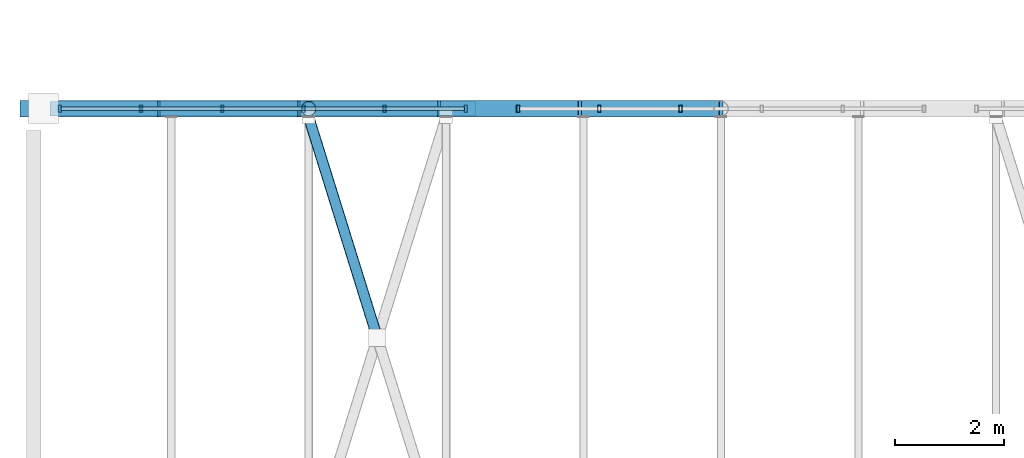
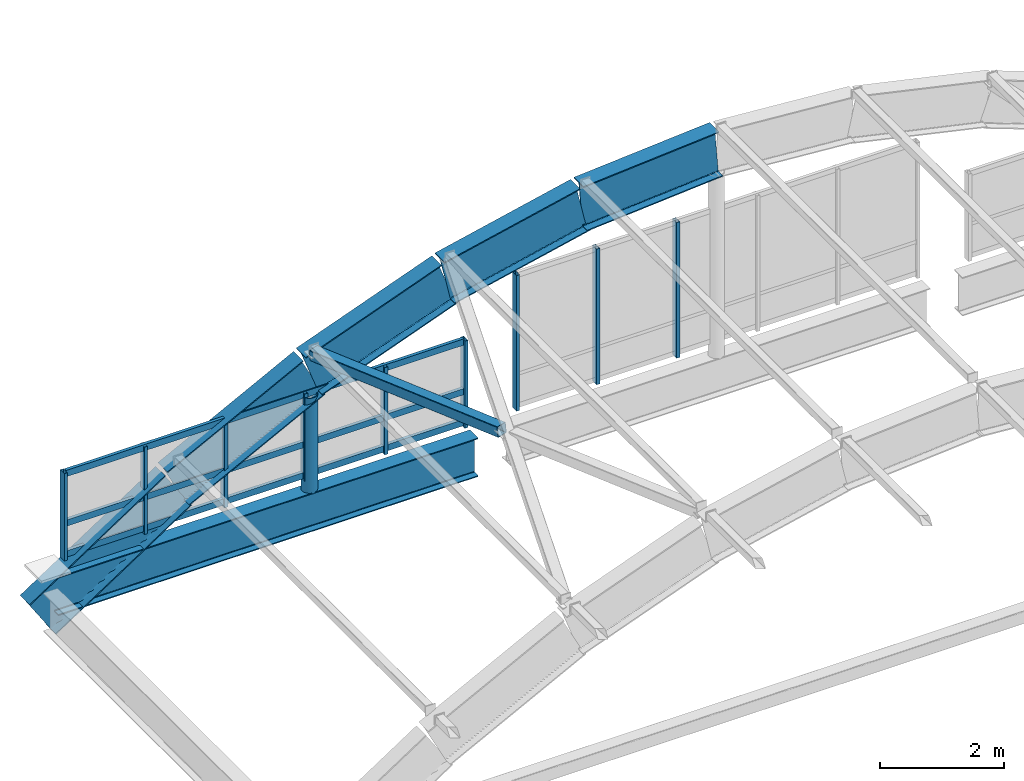
# One storey, part 15 of 130: 14 members, 6 beams, 2 elements without a shape of their own.
"""IFC4 building model written with IfcOpenShell, lengths in metres."""

from ifc_helpers import new_model, si_unit, direction, frame, origin, origin_2d, place, context, subcontext, project, spatial, hollow_rectangle, hollow_circle, i_section, extrude, material, layer, layer_set, material_profile, profile_set, type_object, element, aggregate, save


model = new_model("IFC4")

# Units and contexts
model_context = context("Model", 3, precision=1e-05, world=origin(), true_north=direction((0.0, 1.0)))
body_context = subcontext(model_context, "Body", "Model", "MODEL_VIEW")
ifc_project = project(units=[si_unit("LENGTHUNIT", "METRE"), si_unit("AREAUNIT", "SQUARE_METRE"), si_unit("VOLUMEUNIT", "CUBIC_METRE"), si_unit("PLANEANGLEUNIT", "RADIAN"), si_unit("MASSUNIT", "GRAM", prefix="KILO")], contexts=[model_context])

# Site, building, storey
site_placement = place(None, origin())
site = spatial("IfcSite", under=ifc_project, at=site_placement, CompositionType="ELEMENT")
building_placement = place(site_placement, origin())
building = spatial("IfcBuilding", under=site, at=building_placement, Name="Vireocrest Preparatory School", CompositionType="ELEMENT")
storey_placement = place(building_placement, frame((0.0, 0.0, 9.0)))
storey = spatial("IfcBuildingStorey", under=building, at=storey_placement, Name="L02", CompositionType="ELEMENT", Elevation=9.0)

# Curtain wall, members
ifc_material_1 = material(Name="Thermally broken aluminium EN AW-6063-T6", Category="aluminium")
ifc_layer_1 = layer(ifc_material_1, 0.179931640625)
ifc_layer_set_1 = layer_set([ifc_layer_1], Name="Thermally broken aluminium EN AW-6063-T6")
curtain_wall_type_1 = type_object("IfcCurtainWallType", Name="Vault Gable Clerestory 8400x2600", PredefinedType="USERDEFINED", material=ifc_layer_set_1)
curtain_wall_1_placement = place(storey_placement, origin())
curtain_wall_1 = element("IfcCurtainWall", 1, at=curtain_wall_1_placement, inside=storey, type_object=curtain_wall_type_1, Name="Curtain Wall CW13 CW_L02_CW13_0004_0522_090", ObjectType="CURTAIN WALL", PredefinedType="USERDEFINED")
ifc_material_profile_1 = material_profile(ifc_material_1, hollow_rectangle(XDim=0.06005859375, YDim=0.135009765625, WallThickness=0.00390625, at=origin_2d()), Name="ALU 60x135x4")
ifc_profile_set_1 = profile_set([ifc_material_profile_1], Name="Thermally broken aluminium EN AW-6063-T6")
member_type_1 = type_object("IfcMemberType", Name="CW Clerestory Mullion 60x135x4", PredefinedType="MULLION", material=ifc_profile_set_1)
member_1_placement = place(storey_placement, frame((0.47998046875, 52.199951171875, 0.0), z_axis=(0.0, 0.0, 1.0), x_axis=(1.0, 0.0, 0.0)))
member_1 = element("IfcMember", 2, at=member_1_placement, type_object=member_type_1, Name="CW Mullion ML6 CW_L02_CW13_0004_0522_090-1", PredefinedType="MULLION", context=body_context, shape_type="SweptSolid", body=[
    extrude(hollow_rectangle(XDim=0.06005859375, YDim=0.135009765625, WallThickness=0.00390625, at=origin_2d()), origin(), (0.0, 0.0, 1.0), 1.715087890625),
])
member_2_placement = place(storey_placement, frame((1.968017578125, 52.199951171875, 0.0), z_axis=(0.0, 0.0, 1.0), x_axis=(1.0, 0.0, 0.0)))
member_2 = element("IfcMember", 3, at=member_2_placement, type_object=member_type_1, Name="CW Mullion ML6 CW_L02_CW13_0004_0522_090-2", PredefinedType="MULLION", context=body_context, shape_type="SweptSolid", body=[
    extrude(hollow_rectangle(XDim=0.06005859375, YDim=0.135009765625, WallThickness=0.00390625, at=origin_2d()), origin(), (0.0, 0.0, 1.0), 1.715087890625),
])
member_3_placement = place(storey_placement, frame((3.4560546875, 52.199951171875, 0.0), z_axis=(0.0, 0.0, 1.0), x_axis=(1.0, 0.0, 0.0)))
member_3 = element("IfcMember", 4, at=member_3_placement, type_object=member_type_1, Name="CW Mullion ML6 CW_L02_CW13_0004_0522_090-3", PredefinedType="MULLION", context=body_context, shape_type="SweptSolid", body=[
    extrude(hollow_rectangle(XDim=0.06005859375, YDim=0.135009765625, WallThickness=0.00390625, at=origin_2d()), origin(), (0.0, 0.0, 1.0), 1.715087890625),
])
member_4_placement = place(storey_placement, frame((4.944091796875, 52.199951171875, 0.0), z_axis=(0.0, 0.0, 1.0), x_axis=(1.0, 0.0, 0.0)))
member_4 = element("IfcMember", 5, at=member_4_placement, type_object=member_type_1, Name="CW Mullion ML6 CW_L02_CW13_0004_0522_090-4", PredefinedType="MULLION", context=body_context, shape_type="SweptSolid", body=[
    extrude(hollow_rectangle(XDim=0.06005859375, YDim=0.135009765625, WallThickness=0.00390625, at=origin_2d()), origin(), (0.0, 0.0, 1.0), 1.715087890625),
])
member_5_placement = place(storey_placement, frame((6.431884765625, 52.199951171875, 0.0), z_axis=(0.0, 0.0, 1.0), x_axis=(1.0, 0.0, 0.0)))
member_5 = element("IfcMember", 6, at=member_5_placement, type_object=member_type_1, Name="CW Mullion ML6 CW_L02_CW13_0004_0522_090-5", PredefinedType="MULLION", context=body_context, shape_type="SweptSolid", body=[
    extrude(hollow_rectangle(XDim=0.06005859375, YDim=0.135009765625, WallThickness=0.00390625, at=origin_2d()), origin(), (0.0, 0.0, 1.0), 1.715087890625),
])
member_6_placement = place(storey_placement, frame((7.919921875, 52.199951171875, 0.0), z_axis=(0.0, 0.0, 1.0), x_axis=(1.0, 0.0, 0.0)))
member_6 = element("IfcMember", 7, at=member_6_placement, type_object=member_type_1, Name="CW Mullion ML6 CW_L02_CW13_0004_0522_090-6", PredefinedType="MULLION", context=body_context, shape_type="SweptSolid", body=[
    extrude(hollow_rectangle(XDim=0.06005859375, YDim=0.135009765625, WallThickness=0.00390625, at=origin_2d()), origin(), (0.0, 0.0, 1.0), 1.715087890625),
])

ifc_layer_2 = layer(ifc_material_1, 0.179931640625)
ifc_layer_set_2 = layer_set([ifc_layer_2], Name="Thermally broken aluminium EN AW-6063-T6")
curtain_wall_type_2 = type_object("IfcCurtainWallType", Name="Vault Centre Gable Clerestory 8400x3800", PredefinedType="USERDEFINED", material=ifc_layer_set_2)
curtain_wall_2_placement = place(storey_placement, origin())
curtain_wall_2 = element("IfcCurtainWall", 8, at=curtain_wall_2_placement, inside=storey, type_object=curtain_wall_type_2, Name="Curtain Wall CW14 CW_L02_CW14_0088_0522_090", ObjectType="CURTAIN WALL", PredefinedType="USERDEFINED")
member_7_placement = place(storey_placement, frame((8.8798828125, 52.199951171875, 0.0), z_axis=(0.0, 0.0, 1.0), x_axis=(1.0, 0.0, 0.0)))
member_7 = element("IfcMember", 9, at=member_7_placement, type_object=member_type_1, Name="CW Mullion ML6 CW_L02_CW14_0088_0522_090-1", PredefinedType="MULLION", context=body_context, shape_type="SweptSolid", body=[
    extrude(hollow_rectangle(XDim=0.06005859375, YDim=0.135009765625, WallThickness=0.00390625, at=origin_2d()), origin(), (0.0, 0.0, 1.0), 2.6650390625),
])
member_8_placement = place(storey_placement, frame((10.367919921875, 52.199951171875, 0.0), z_axis=(0.0, 0.0, 1.0), x_axis=(1.0, 0.0, 0.0)))
member_8 = element("IfcMember", 10, at=member_8_placement, type_object=member_type_1, Name="CW Mullion ML6 CW_L02_CW14_0088_0522_090-2", PredefinedType="MULLION", context=body_context, shape_type="SweptSolid", body=[
    extrude(hollow_rectangle(XDim=0.06005859375, YDim=0.135009765625, WallThickness=0.00390625, at=origin_2d()), origin(), (0.0, 0.0, 1.0), 2.6650390625),
])
member_9_placement = place(storey_placement, frame((11.85595703125, 52.199951171875, 0.0), z_axis=(0.0, 0.0, 1.0), x_axis=(1.0, 0.0, 0.0)))
member_9 = element("IfcMember", 11, at=member_9_placement, type_object=member_type_1, Name="CW Mullion ML6 CW_L02_CW14_0088_0522_090-3", PredefinedType="MULLION", context=body_context, shape_type="SweptSolid", body=[
    extrude(hollow_rectangle(XDim=0.06005859375, YDim=0.135009765625, WallThickness=0.00390625, at=origin_2d()), origin(), (0.0, 0.0, 1.0), 2.6650390625),
])
aggregate(curtain_wall_2, [member_7, member_8, member_9])

# Member
ifc_material_profile_2 = material_profile(ifc_material_1, hollow_rectangle(XDim=0.06005859375, YDim=0.125, WallThickness=0.00390625, at=origin_2d()), Name="ALU 60x125x4")
ifc_profile_set_2 = profile_set([ifc_material_profile_2], Name="Thermally broken aluminium EN AW-6063-T6")
member_type_2 = type_object("IfcMemberType", Name="CW Clerestory Transom 60x125x4", PredefinedType="USERDEFINED", material=ifc_profile_set_2)
member_10_placement = place(storey_placement, frame((0.5048828125, 52.199951171875, 0.094970703125), z_axis=(1.0, 0.0, 0.0), x_axis=(0.0, 1.0, 0.0)))
member_10 = element("IfcMember", 12, at=member_10_placement, type_object=member_type_2, Name="CW Transom TR6 CW_L02_CW13_0004_0522_090-1", ObjectType="TRANSOM", PredefinedType="USERDEFINED", context=body_context, shape_type="SweptSolid", body=[
    extrude(hollow_rectangle(XDim=0.06005859375, YDim=0.125, WallThickness=0.00390625, at=origin_2d()), origin(), (0.0, 0.0, 1.0), 7.39013671875),
])

member_11_placement = place(storey_placement, frame((0.5048828125, 52.199951171875, 0.699951171875), z_axis=(1.0, 0.0, 0.0), x_axis=(0.0, 1.0, 0.0)))
member_11 = element("IfcMember", 13, at=member_11_placement, type_object=member_type_2, Name="CW Transom TR6 CW_L02_CW13_0004_0522_090-2", ObjectType="TRANSOM", PredefinedType="USERDEFINED", context=body_context, shape_type="SweptSolid", body=[
    extrude(hollow_rectangle(XDim=0.06005859375, YDim=0.125, WallThickness=0.00390625, at=origin_2d()), origin(), (0.0, 0.0, 1.0), 7.39013671875),
])

member_12_placement = place(storey_placement, frame((0.5048828125, 52.199951171875, 1.675048828125), z_axis=(1.0, 0.0, 0.0), x_axis=(0.0, 1.0, 0.0)))
member_12 = element("IfcMember", 14, at=member_12_placement, type_object=member_type_2, Name="CW Transom TR6 CW_L02_CW13_0004_0522_090-3", ObjectType="TRANSOM", PredefinedType="USERDEFINED", context=body_context, shape_type="SweptSolid", body=[
    extrude(hollow_rectangle(XDim=0.06005859375, YDim=0.125, WallThickness=0.00390625, at=origin_2d()), origin(), (0.0, 0.0, 1.0), 7.39013671875),
])

aggregate(curtain_wall_1, [member_1, member_2, member_3, member_4, member_5, member_6, member_10, member_11, member_12])

# Beams
ifc_material_2 = material(Name="Structural steel ASTM A992 Grade 50", Category="steel")
ifc_material_profile_3 = material_profile(ifc_material_2, i_section(OverallWidth=0.304931640625, OverallDepth=0.904052734375, WebThickness=0.01513671875, FlangeThickness=0.02001953125, FilletRadius=0.02392578125, at=origin_2d()), Name="W36X135")
ifc_profile_set_3 = profile_set([ifc_material_profile_3], Name="Structural steel ASTM A992 Grade 50")
beam_type_1 = type_object("IfcBeamType", Name="Sports Hall Barrel Vault Arch Rib W36X135", PredefinedType="BEAM", material=ifc_profile_set_3)
beam_1_placement = place(storey_placement, frame((0.0, 52.199951171875, -0.939208984375), z_axis=(0.835706541366, 0.0, 0.54917627108), x_axis=(0.0, 1.0, 0.0)))
element("IfcBeam", 15, at=beam_1_placement, inside=storey, type_object=beam_type_1, Name="Sports Hall Barrel Vault Roof Arch Rib 6 Seg 1", PredefinedType="BEAM", context=body_context, shape_type="SweptSolid", body=[
    extrude(i_section(OverallWidth=0.304931640625, OverallDepth=0.904052734375, WebThickness=0.01513671875, FlangeThickness=0.02001953125, FilletRadius=0.02392578125, at=origin_2d()), origin(), (0.0, 0.0, 1.0), 3.015380859375),
])
beam_2_placement = place(storey_placement, frame((2.52001953125, 52.199951171875, 0.75), z_axis=(0.888848104135, 0.0, 0.458201972689), x_axis=(0.0, 1.0, 0.0)))
element("IfcBeam", 16, at=beam_2_placement, inside=storey, type_object=beam_type_1, Name="Sports Hall Barrel Vault Roof Arch Rib 6 Seg 2", PredefinedType="BEAM", context=body_context, shape_type="SweptSolid", body=[
    extrude(i_section(OverallWidth=0.304931640625, OverallDepth=0.904052734375, WebThickness=0.01513671875, FlangeThickness=0.02001953125, FilletRadius=0.02392578125, at=origin_2d()), origin(), (0.0, 0.0, 1.0), 2.835205078125),
])
beam_3_placement = place(storey_placement, frame((5.0400390625, 52.199951171875, 2.075439453125), z_axis=(0.938013768211, 0.0, 0.346597995733), x_axis=(0.0, 1.0, 0.0)))
element("IfcBeam", 17, at=beam_3_placement, inside=storey, type_object=beam_type_1, Name="Sports Hall Barrel Vault Roof Arch Rib 6 Seg 3", PredefinedType="BEAM", context=body_context, shape_type="SweptSolid", body=[
    extrude(i_section(OverallWidth=0.304931640625, OverallDepth=0.904052734375, WebThickness=0.01513671875, FlangeThickness=0.02001953125, FilletRadius=0.02392578125, at=origin_2d()), origin(), (0.0, 0.0, 1.0), 2.6865234375),
])
beam_4_placement = place(storey_placement, frame((7.56005859375, 52.199951171875, 3.025146484375), z_axis=(0.975941722244, 0.0, 0.218031545388), x_axis=(0.0, 1.0, 0.0)))
element("IfcBeam", 18, at=beam_4_placement, inside=storey, type_object=beam_type_1, Name="Sports Hall Barrel Vault Roof Arch Rib 6 Seg 4", PredefinedType="BEAM", context=body_context, shape_type="SweptSolid", body=[
    extrude(i_section(OverallWidth=0.304931640625, OverallDepth=0.904052734375, WebThickness=0.01513671875, FlangeThickness=0.02001953125, FilletRadius=0.02392578125, at=origin_2d()), origin(), (0.0, 0.0, 1.0), 2.58203125),
])
beam_5_placement = place(storey_placement, frame((10.080078125, 52.199951171875, 3.59765625), z_axis=(0.997017437862, 0.0, 0.077176606554), x_axis=(0.0, 1.0, 0.0)))
element("IfcBeam", 19, at=beam_5_placement, inside=storey, type_object=beam_type_1, Name="Sports Hall Barrel Vault Roof Arch Rib 6 Seg 5", PredefinedType="BEAM", context=body_context, shape_type="SweptSolid", body=[
    extrude(i_section(OverallWidth=0.304931640625, OverallDepth=0.904052734375, WebThickness=0.01513671875, FlangeThickness=0.02001953125, FilletRadius=0.02392578125, at=origin_2d()), origin(), (0.0, 0.0, 1.0), 2.527587890625),
])
ifc_material_profile_4 = material_profile(ifc_material_2, i_section(OverallWidth=0.26708984375, OverallDepth=0.758056640625, WebThickness=0.013916015625, FlangeThickness=0.019287109375, FilletRadius=0.01904296875, at=origin_2d()), Name="W30X108")
ifc_profile_set_4 = profile_set([ifc_material_profile_4], Name="Structural steel ASTM A992 Grade 50")
beam_type_2 = type_object("IfcBeamType", Name="Sports Hall Vault Ring Beam W30X108", PredefinedType="BEAM", material=ifc_profile_set_4)
beam_6_placement = place(storey_placement, frame((0.300048828125, 52.199951171875, -0.59912109375), z_axis=(1.0, 0.0, 0.0), x_axis=(0.0, 1.0, 0.0)))
element("IfcBeam", 20, at=beam_6_placement, inside=storey, type_object=beam_type_2, Name="Sports Hall Barrel Vault Roof Gable Ring Beam N-1", PredefinedType="BEAM", context=body_context, shape_type="SweptSolid", body=[
    extrude(i_section(OverallWidth=0.26708984375, OverallDepth=0.758056640625, WebThickness=0.013916015625, FlangeThickness=0.019287109375, FilletRadius=0.01904296875, at=origin_2d()), origin(), (0.0, 0.0, 1.0), 7.800048828125),
])

# Members
ifc_material_3 = material(Name="Structural steel ASTM A500 Grade C", Category="steel")
ifc_material_profile_5 = material_profile(ifc_material_3, hollow_rectangle(XDim=0.203125, YDim=0.203125, WallThickness=0.0087890625, InnerFilletRadius=0.0087890625, OuterFilletRadius=0.017822265625, at=origin_2d()), Name="HSS8X8X3/8")
ifc_profile_set_5 = profile_set([ifc_material_profile_5], Name="Structural steel ASTM A500 Grade C")
member_type_3 = type_object("IfcMemberType", Name="Vault Roof Wind X-Brace HSS8X8X3/8", PredefinedType="BRACE", material=ifc_profile_set_5)
member_13_placement = place(storey_placement, frame((5.0400390625, 52.047607421875, 2.52978515625), z_axis=(0.295504780925, -0.94922938621, 0.107891134043), x_axis=(0.95480284286, 0.297239854776, 0.0)))
element("IfcMember", 21, at=member_13_placement, inside=storey, type_object=member_type_3, Name="Sports Hall Barrel Vault Roof Split Roof X-Brace 5-3-1", PredefinedType="BRACE", context=body_context, shape_type="SweptSolid", body=[
    extrude(hollow_rectangle(XDim=0.203125, YDim=0.203125, WallThickness=0.0087890625, InnerFilletRadius=0.0087890625, OuterFilletRadius=0.017822265625, at=origin_2d()), origin(), (0.0, 0.0, 1.0), 4.13427734375),
])
ifc_material_4 = material(Name="Painted white steel ASTM A500 Grade C", Category="steel")
ifc_material_profile_6 = material_profile(ifc_material_4, hollow_circle(Radius=0.136474609375, WallThickness=0.0126953125, at=origin_2d()), Name="HSS10.750X0.500")
ifc_profile_set_6 = profile_set([ifc_material_profile_6], Name="Painted white steel ASTM A500 Grade C")
member_type_4 = type_object("IfcMemberType", Name="White Steel Clerestory Strut HSS10.750X0.500", PredefinedType="USERDEFINED", material=ifc_profile_set_6)
member_14_placement = place(storey_placement, frame((5.0400390625, 52.199951171875, -0.239990234375), z_axis=(0.0, 0.0, 1.0), x_axis=(1.0, 0.0, 0.0)))
element("IfcMember", 22, at=member_14_placement, inside=storey, type_object=member_type_4, Name="Sports Hall Barrel Vault Roof Gable Mullion Post 6-2", ObjectType="STRUT", PredefinedType="USERDEFINED", context=body_context, shape_type="SweptSolid", body=[
    extrude(hollow_circle(Radius=0.136474609375, WallThickness=0.0126953125, at=origin_2d()), origin(), (0.0, 0.0, 1.0), 1.883544921875),
])

save(model, "model.ifc")
